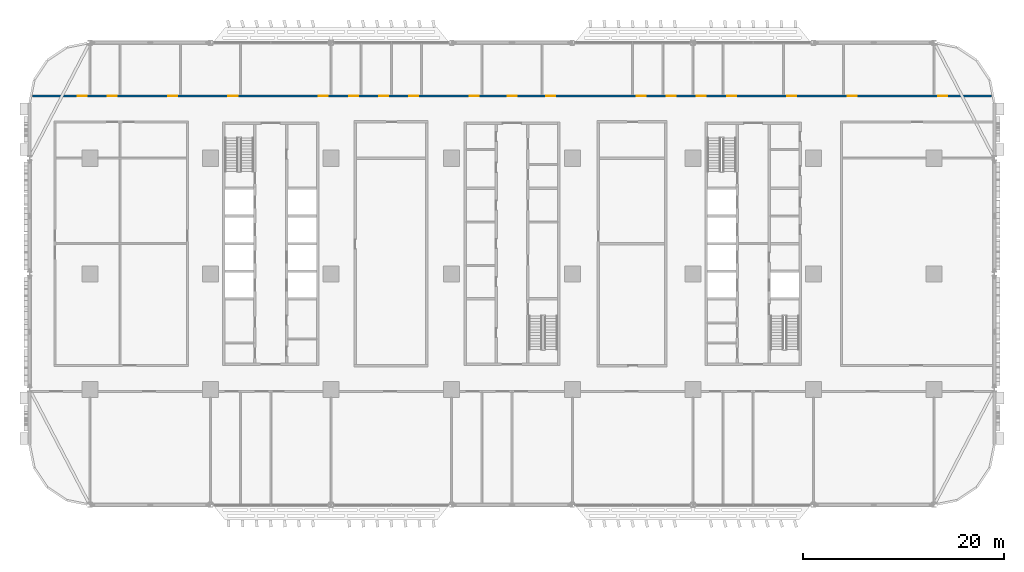
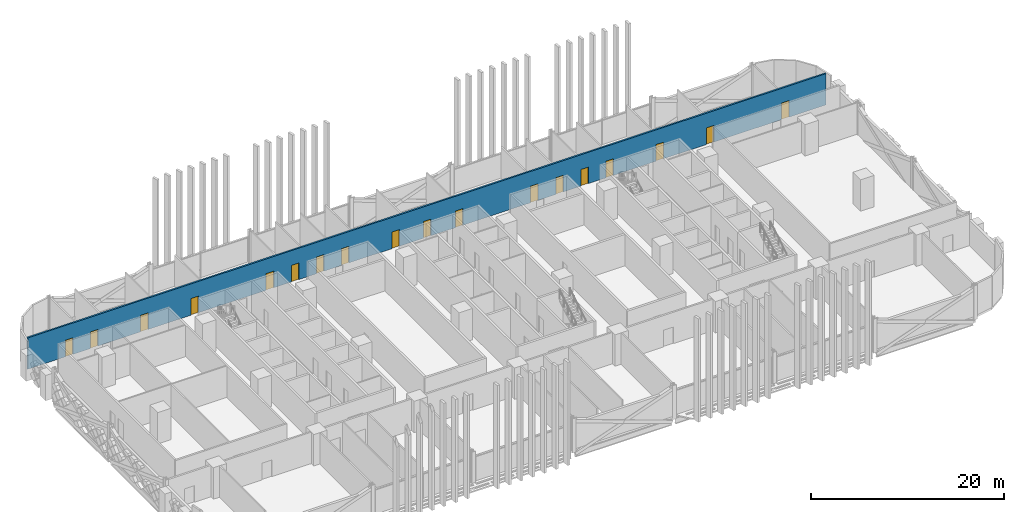
# One storey, part 13 of 29: 18 doors, 1 wall, 18 openings.
"""IFC4 building model written with IfcOpenShell, lengths in metres."""

from ifc_helpers import new_model, si_unit, direction, frame, frame_2d, origin, place, context, subcontext, project, spatial, rectangle, extrude, material, layer, layer_set, type_object, element, fill, save


model = new_model("IFC4")

# Units and contexts
model_context = context("Model", 3, precision=1e-05, world=origin(), true_north=direction((0.0, 1.0)))
body_context = subcontext(model_context, "Body", "Model", "MODEL_VIEW")
ifc_project = project(units=[si_unit("LENGTHUNIT", "METRE"), si_unit("AREAUNIT", "SQUARE_METRE"), si_unit("VOLUMEUNIT", "CUBIC_METRE"), si_unit("PLANEANGLEUNIT", "RADIAN"), si_unit("MASSUNIT", "GRAM", prefix="KILO")], contexts=[model_context])

# Site, building, storey
site_placement = place(None, origin())
site = spatial("IfcSite", under=ifc_project, at=site_placement, CompositionType="ELEMENT")
building_placement = place(site_placement, origin())
building = spatial("IfcBuilding", under=site, at=building_placement, Name="Mahtab Terrace Research Tower", CompositionType="ELEMENT")
storey_placement = place(building_placement, frame((0.0, 0.0, 24.39990234375)))
storey = spatial("IfcBuildingStorey", under=building, at=storey_placement, Name="L05", CompositionType="ELEMENT", Elevation=24.39990234375)

# Wall, openings, doors
ifc_material_1 = material(Name="Gypsum board corridor wall on steel studs", Category="steel")
ifc_layer = layer(ifc_material_1, 0.199951171875)
ifc_layer_set = layer_set([ifc_layer], Name="WALL CORRIDOR 200")
wall_type = type_object("IfcWallType", Name="WALL CORRIDOR 200", PredefinedType="PARTITIONING", material=ifc_layer_set)
wall_placement = place(storey_placement, frame((-47.707763671875, 17.699951171875, 0.0), z_axis=(0.0, 0.0, 1.0), x_axis=(1.0, 0.0, 0.0)))
wall = element("IfcWall", 1, at=wall_placement, inside=storey, type_object=wall_type, Name="L05-W026", PredefinedType="PARTITIONING", context=body_context, shape_type="SweptSolid", body=[
    extrude(rectangle(XDim=95.41552734375, YDim=0.199951171875, at=frame_2d((47.707763671875, 0.0))), origin(), (0.0, 0.0, 1.0), 3.960205078125),
])
opening_1_placement = place(wall_placement, frame((4.5, 0.0, 0.0)))
opening_1 = element("IfcOpeningElement", 2, at=opening_1_placement, cuts=wall, Name="Opening L05-129", PredefinedType="OPENING", context=body_context, shape_type="SweptSolid", body=[
    extrude(rectangle(XDim=0.89990234375, YDim=2.10009765625, at=frame_2d((0.449951171875, 1.050048828125))), frame((0.0, 0.10986328125, 0.0), z_axis=(0.0, -1.0, 0.0), x_axis=(1.0, 0.0, 0.0)), (0.0, 0.0, 1.0), 0.219970703125),
])
opening_2_placement = place(wall_placement, frame((7.5, 0.0, 0.0)))
opening_2 = element("IfcOpeningElement", 3, at=opening_2_placement, cuts=wall, Name="Opening L05-130", PredefinedType="OPENING", context=body_context, shape_type="SweptSolid", body=[
    extrude(rectangle(XDim=0.89990234375, YDim=2.10009765625, at=frame_2d((0.449951171875, 1.050048828125))), frame((0.0, 0.10986328125, 0.0), z_axis=(0.0, -1.0, 0.0), x_axis=(1.0, 0.0, 0.0)), (0.0, 0.0, 1.0), 0.219970703125),
])
opening_3_placement = place(wall_placement, frame((13.5, 0.0, 0.0)))
opening_3 = element("IfcOpeningElement", 4, at=opening_3_placement, cuts=wall, Name="Opening L05-131", PredefinedType="OPENING", context=body_context, shape_type="SweptSolid", body=[
    extrude(rectangle(XDim=0.89990234375, YDim=2.10009765625, at=frame_2d((0.449951171875, 1.050048828125))), frame((0.0, 0.10986328125, 0.0), z_axis=(0.0, -1.0, 0.0), x_axis=(1.0, 0.0, 0.0)), (0.0, 0.0, 1.0), 0.219970703125),
])
opening_4_placement = place(wall_placement, frame((19.5, 0.0, 0.0)))
opening_4 = element("IfcOpeningElement", 5, at=opening_4_placement, cuts=wall, Name="Opening L05-132", PredefinedType="OPENING", context=body_context, shape_type="SweptSolid", body=[
    extrude(rectangle(XDim=0.89990234375, YDim=2.10009765625, at=frame_2d((0.449951171875, 1.050048828125))), frame((0.0, 0.10986328125, 0.0), z_axis=(0.0, -1.0, 0.0), x_axis=(1.0, 0.0, 0.0)), (0.0, 0.0, 1.0), 0.219970703125),
])
opening_5_placement = place(wall_placement, frame((28.5, 0.0, 0.0)))
opening_5 = element("IfcOpeningElement", 6, at=opening_5_placement, cuts=wall, Name="Opening L05-133", PredefinedType="OPENING", context=body_context, shape_type="SweptSolid", body=[
    extrude(rectangle(XDim=0.89990234375, YDim=2.10009765625, at=frame_2d((0.449951171875, 1.050048828125))), frame((0.0, 0.10986328125, 0.0), z_axis=(0.0, -1.0, 0.0), x_axis=(1.0, 0.0, 0.0)), (0.0, 0.0, 1.0), 0.219970703125),
])
opening_6_placement = place(wall_placement, frame((31.5, 0.0, 0.0)))
opening_6 = element("IfcOpeningElement", 7, at=opening_6_placement, cuts=wall, Name="Opening L05-134", PredefinedType="OPENING", context=body_context, shape_type="SweptSolid", body=[
    extrude(rectangle(XDim=0.89990234375, YDim=2.10009765625, at=frame_2d((0.449951171875, 1.050048828125))), frame((0.0, 0.10986328125, 0.0), z_axis=(0.0, -1.0, 0.0), x_axis=(1.0, 0.0, 0.0)), (0.0, 0.0, 1.0), 0.219970703125),
])
opening_7_placement = place(wall_placement, frame((34.5, 0.0, 0.0)))
opening_7 = element("IfcOpeningElement", 8, at=opening_7_placement, cuts=wall, Name="Opening L05-135", PredefinedType="OPENING", context=body_context, shape_type="SweptSolid", body=[
    extrude(rectangle(XDim=0.89990234375, YDim=2.10009765625, at=frame_2d((0.449951171875, 1.050048828125))), frame((0.0, 0.10986328125, 0.0), z_axis=(0.0, -1.0, 0.0), x_axis=(1.0, 0.0, 0.0)), (0.0, 0.0, 1.0), 0.219970703125),
])
opening_8_placement = place(wall_placement, frame((37.5, 0.0, 0.0)))
opening_8 = element("IfcOpeningElement", 9, at=opening_8_placement, cuts=wall, Name="Opening L05-136", PredefinedType="OPENING", context=body_context, shape_type="SweptSolid", body=[
    extrude(rectangle(XDim=0.89990234375, YDim=2.10009765625, at=frame_2d((0.449951171875, 1.050048828125))), frame((0.0, 0.10986328125, 0.0), z_axis=(0.0, -1.0, 0.0), x_axis=(1.0, 0.0, 0.0)), (0.0, 0.0, 1.0), 0.219970703125),
])
opening_9_placement = place(wall_placement, frame((43.5, 0.0, 0.0)))
opening_9 = element("IfcOpeningElement", 10, at=opening_9_placement, cuts=wall, Name="Opening L05-137", PredefinedType="OPENING", context=body_context, shape_type="SweptSolid", body=[
    extrude(rectangle(XDim=0.89990234375, YDim=2.10009765625, at=frame_2d((0.449951171875, 1.050048828125))), frame((0.0, 0.10986328125, 0.0), z_axis=(0.0, -1.0, 0.0), x_axis=(1.0, 0.0, 0.0)), (0.0, 0.0, 1.0), 0.219970703125),
])
opening_10_placement = place(wall_placement, frame((47.300048828125, 0.0, 0.0)))
opening_10 = element("IfcOpeningElement", 11, at=opening_10_placement, cuts=wall, Name="Opening L05-138", PredefinedType="OPENING", context=body_context, shape_type="SweptSolid", body=[
    extrude(rectangle(XDim=0.89990234375, YDim=2.10009765625, at=frame_2d((0.449951171875, 1.050048828125))), frame((0.0, 0.10986328125, 0.0), z_axis=(0.0, -1.0, 0.0), x_axis=(1.0, 0.0, 0.0)), (0.0, 0.0, 1.0), 0.219970703125),
])
opening_11_placement = place(wall_placement, frame((51.10009765625, 0.0, 0.0)))
opening_11 = element("IfcOpeningElement", 12, at=opening_11_placement, cuts=wall, Name="Opening L05-139", PredefinedType="OPENING", context=body_context, shape_type="SweptSolid", body=[
    extrude(rectangle(XDim=0.89990234375, YDim=2.10009765625, at=frame_2d((0.449951171875, 1.050048828125))), frame((0.0, 0.10986328125, 0.0), z_axis=(0.0, -1.0, 0.0), x_axis=(1.0, 0.0, 0.0)), (0.0, 0.0, 1.0), 0.219970703125),
])
opening_12_placement = place(wall_placement, frame((60.10009765625, 0.0, 0.0)))
opening_12 = element("IfcOpeningElement", 13, at=opening_12_placement, cuts=wall, Name="Opening L05-140", PredefinedType="OPENING", context=body_context, shape_type="SweptSolid", body=[
    extrude(rectangle(XDim=0.89990234375, YDim=2.10009765625, at=frame_2d((0.449951171875, 1.050048828125))), frame((0.0, 0.10986328125, 0.0), z_axis=(0.0, -1.0, 0.0), x_axis=(1.0, 0.0, 0.0)), (0.0, 0.0, 1.0), 0.219970703125),
])
opening_13_placement = place(wall_placement, frame((63.10009765625, 0.0, 0.0)))
opening_13 = element("IfcOpeningElement", 14, at=opening_13_placement, cuts=wall, Name="Opening L05-141", PredefinedType="OPENING", context=body_context, shape_type="SweptSolid", body=[
    extrude(rectangle(XDim=0.89990234375, YDim=2.10009765625, at=frame_2d((0.449951171875, 1.050048828125))), frame((0.0, 0.10986328125, 0.0), z_axis=(0.0, -1.0, 0.0), x_axis=(1.0, 0.0, 0.0)), (0.0, 0.0, 1.0), 0.219970703125),
])
opening_14_placement = place(wall_placement, frame((66.10009765625, 0.0, 0.0)))
opening_14 = element("IfcOpeningElement", 15, at=opening_14_placement, cuts=wall, Name="Opening L05-142", PredefinedType="OPENING", context=body_context, shape_type="SweptSolid", body=[
    extrude(rectangle(XDim=0.89990234375, YDim=2.10009765625, at=frame_2d((0.449951171875, 1.050048828125))), frame((0.0, 0.10986328125, 0.0), z_axis=(0.0, -1.0, 0.0), x_axis=(1.0, 0.0, 0.0)), (0.0, 0.0, 1.0), 0.219970703125),
])
opening_15_placement = place(wall_placement, frame((69.10009765625, 0.0, 0.0)))
opening_15 = element("IfcOpeningElement", 16, at=opening_15_placement, cuts=wall, Name="Opening L05-143", PredefinedType="OPENING", context=body_context, shape_type="SweptSolid", body=[
    extrude(rectangle(XDim=0.89990234375, YDim=2.10009765625, at=frame_2d((0.449951171875, 1.050048828125))), frame((0.0, 0.10986328125, 0.0), z_axis=(0.0, -1.0, 0.0), x_axis=(1.0, 0.0, 0.0)), (0.0, 0.0, 1.0), 0.219970703125),
])
opening_16_placement = place(wall_placement, frame((75.10009765625, 0.0, 0.0)))
opening_16 = element("IfcOpeningElement", 17, at=opening_16_placement, cuts=wall, Name="Opening L05-144", PredefinedType="OPENING", context=body_context, shape_type="SweptSolid", body=[
    extrude(rectangle(XDim=0.89990234375, YDim=2.10009765625, at=frame_2d((0.449951171875, 1.050048828125))), frame((0.0, 0.10986328125, 0.0), z_axis=(0.0, -1.0, 0.0), x_axis=(1.0, 0.0, 0.0)), (0.0, 0.0, 1.0), 0.219970703125),
])
opening_17_placement = place(wall_placement, frame((81.10009765625, 0.0, 0.0)))
opening_17 = element("IfcOpeningElement", 18, at=opening_17_placement, cuts=wall, Name="Opening L05-145", PredefinedType="OPENING", context=body_context, shape_type="SweptSolid", body=[
    extrude(rectangle(XDim=0.89990234375, YDim=2.10009765625, at=frame_2d((0.449951171875, 1.050048828125))), frame((0.0, 0.10986328125, 0.0), z_axis=(0.0, -1.0, 0.0), x_axis=(1.0, 0.0, 0.0)), (0.0, 0.0, 1.0), 0.219970703125),
])
opening_18_placement = place(wall_placement, frame((90.10009765625, 0.0, 0.0)))
opening_18 = element("IfcOpeningElement", 19, at=opening_18_placement, cuts=wall, Name="Opening L05-146", PredefinedType="OPENING", context=body_context, shape_type="SweptSolid", body=[
    extrude(rectangle(XDim=0.89990234375, YDim=2.10009765625, at=frame_2d((0.449951171875, 1.050048828125))), frame((0.0, 0.10986328125, 0.0), z_axis=(0.0, -1.0, 0.0), x_axis=(1.0, 0.0, 0.0)), (0.0, 0.0, 1.0), 0.219970703125),
])
ifc_material_2 = material(Name="Timber door leaf in steel frame", Category="steel")
door_type = type_object("IfcDoorType", Name="DOOR 0900X2100 FD30S", OperationType="SINGLE_SWING_LEFT", PredefinedType="DOOR", material=ifc_material_2)
door_1_placement = place(opening_1_placement, origin())
door_1 = element("IfcDoor", 20, at=door_1_placement, inside=storey, type_object=door_type, Name="Door L05-129", OperationType="SINGLE_SWING_LEFT", OverallHeight=2.10009765625, OverallWidth=0.89990234375, PredefinedType="DOOR", context=body_context, shape_type="SweptSolid", body=[
    extrude(rectangle(XDim=0.89990234375, YDim=2.10009765625, at=frame_2d((0.449951171875, 1.050048828125))), frame((0.0, 0.02490234375, 0.0), z_axis=(0.0, -1.0, 0.0), x_axis=(1.0, 0.0, 0.0)), (0.0, 0.0, 1.0), 0.050048828125),
])
fill(opening_1, door_1)
door_2_placement = place(opening_2_placement, origin())
door_2 = element("IfcDoor", 21, at=door_2_placement, inside=storey, type_object=door_type, Name="Door L05-130", OperationType="SINGLE_SWING_LEFT", OverallHeight=2.10009765625, OverallWidth=0.89990234375, PredefinedType="DOOR", context=body_context, shape_type="SweptSolid", body=[
    extrude(rectangle(XDim=0.89990234375, YDim=2.10009765625, at=frame_2d((0.449951171875, 1.050048828125))), frame((0.0, 0.02490234375, 0.0), z_axis=(0.0, -1.0, 0.0), x_axis=(1.0, 0.0, 0.0)), (0.0, 0.0, 1.0), 0.050048828125),
])
fill(opening_2, door_2)
door_3_placement = place(opening_3_placement, origin())
door_3 = element("IfcDoor", 22, at=door_3_placement, inside=storey, type_object=door_type, Name="Door L05-131", OperationType="SINGLE_SWING_LEFT", OverallHeight=2.10009765625, OverallWidth=0.89990234375, PredefinedType="DOOR", context=body_context, shape_type="SweptSolid", body=[
    extrude(rectangle(XDim=0.89990234375, YDim=2.10009765625, at=frame_2d((0.449951171875, 1.050048828125))), frame((0.0, 0.02490234375, 0.0), z_axis=(0.0, -1.0, 0.0), x_axis=(1.0, 0.0, 0.0)), (0.0, 0.0, 1.0), 0.050048828125),
])
fill(opening_3, door_3)
door_4_placement = place(opening_4_placement, origin())
door_4 = element("IfcDoor", 23, at=door_4_placement, inside=storey, type_object=door_type, Name="Door L05-132", OperationType="SINGLE_SWING_LEFT", OverallHeight=2.10009765625, OverallWidth=0.89990234375, PredefinedType="DOOR", context=body_context, shape_type="SweptSolid", body=[
    extrude(rectangle(XDim=0.89990234375, YDim=2.10009765625, at=frame_2d((0.449951171875, 1.050048828125))), frame((0.0, 0.02490234375, 0.0), z_axis=(0.0, -1.0, 0.0), x_axis=(1.0, 0.0, 0.0)), (0.0, 0.0, 1.0), 0.050048828125),
])
fill(opening_4, door_4)
door_5_placement = place(opening_5_placement, origin())
door_5 = element("IfcDoor", 24, at=door_5_placement, inside=storey, type_object=door_type, Name="Door L05-133", OperationType="SINGLE_SWING_LEFT", OverallHeight=2.10009765625, OverallWidth=0.89990234375, PredefinedType="DOOR", context=body_context, shape_type="SweptSolid", body=[
    extrude(rectangle(XDim=0.89990234375, YDim=2.10009765625, at=frame_2d((0.449951171875, 1.050048828125))), frame((0.0, 0.02490234375, 0.0), z_axis=(0.0, -1.0, 0.0), x_axis=(1.0, 0.0, 0.0)), (0.0, 0.0, 1.0), 0.050048828125),
])
fill(opening_5, door_5)
door_6_placement = place(opening_6_placement, origin())
door_6 = element("IfcDoor", 25, at=door_6_placement, inside=storey, type_object=door_type, Name="Door L05-134", OperationType="SINGLE_SWING_LEFT", OverallHeight=2.10009765625, OverallWidth=0.89990234375, PredefinedType="DOOR", context=body_context, shape_type="SweptSolid", body=[
    extrude(rectangle(XDim=0.89990234375, YDim=2.10009765625, at=frame_2d((0.449951171875, 1.050048828125))), frame((0.0, 0.02490234375, 0.0), z_axis=(0.0, -1.0, 0.0), x_axis=(1.0, 0.0, 0.0)), (0.0, 0.0, 1.0), 0.050048828125),
])
fill(opening_6, door_6)
door_7_placement = place(opening_7_placement, origin())
door_7 = element("IfcDoor", 26, at=door_7_placement, inside=storey, type_object=door_type, Name="Door L05-135", OperationType="SINGLE_SWING_LEFT", OverallHeight=2.10009765625, OverallWidth=0.89990234375, PredefinedType="DOOR", context=body_context, shape_type="SweptSolid", body=[
    extrude(rectangle(XDim=0.89990234375, YDim=2.10009765625, at=frame_2d((0.449951171875, 1.050048828125))), frame((0.0, 0.02490234375, 0.0), z_axis=(0.0, -1.0, 0.0), x_axis=(1.0, 0.0, 0.0)), (0.0, 0.0, 1.0), 0.050048828125),
])
fill(opening_7, door_7)
door_8_placement = place(opening_8_placement, origin())
door_8 = element("IfcDoor", 27, at=door_8_placement, inside=storey, type_object=door_type, Name="Door L05-136", OperationType="SINGLE_SWING_LEFT", OverallHeight=2.10009765625, OverallWidth=0.89990234375, PredefinedType="DOOR", context=body_context, shape_type="SweptSolid", body=[
    extrude(rectangle(XDim=0.89990234375, YDim=2.10009765625, at=frame_2d((0.449951171875, 1.050048828125))), frame((0.0, 0.02490234375, 0.0), z_axis=(0.0, -1.0, 0.0), x_axis=(1.0, 0.0, 0.0)), (0.0, 0.0, 1.0), 0.050048828125),
])
fill(opening_8, door_8)
door_9_placement = place(opening_9_placement, origin())
door_9 = element("IfcDoor", 28, at=door_9_placement, inside=storey, type_object=door_type, Name="Door L05-137", OperationType="SINGLE_SWING_LEFT", OverallHeight=2.10009765625, OverallWidth=0.89990234375, PredefinedType="DOOR", context=body_context, shape_type="SweptSolid", body=[
    extrude(rectangle(XDim=0.89990234375, YDim=2.10009765625, at=frame_2d((0.449951171875, 1.050048828125))), frame((0.0, 0.02490234375, 0.0), z_axis=(0.0, -1.0, 0.0), x_axis=(1.0, 0.0, 0.0)), (0.0, 0.0, 1.0), 0.050048828125),
])
fill(opening_9, door_9)
door_10_placement = place(opening_10_placement, origin())
door_10 = element("IfcDoor", 29, at=door_10_placement, inside=storey, type_object=door_type, Name="Door L05-138", OperationType="SINGLE_SWING_RIGHT", OverallHeight=2.10009765625, OverallWidth=0.89990234375, PredefinedType="DOOR", context=body_context, shape_type="SweptSolid", body=[
    extrude(rectangle(XDim=0.89990234375, YDim=2.10009765625, at=frame_2d((0.449951171875, 1.050048828125))), frame((0.0, 0.02490234375, 0.0), z_axis=(0.0, -1.0, 0.0), x_axis=(1.0, 0.0, 0.0)), (0.0, 0.0, 1.0), 0.050048828125),
])
fill(opening_10, door_10)
door_11_placement = place(opening_11_placement, origin())
door_11 = element("IfcDoor", 30, at=door_11_placement, inside=storey, type_object=door_type, Name="Door L05-139", OperationType="SINGLE_SWING_RIGHT", OverallHeight=2.10009765625, OverallWidth=0.89990234375, PredefinedType="DOOR", context=body_context, shape_type="SweptSolid", body=[
    extrude(rectangle(XDim=0.89990234375, YDim=2.10009765625, at=frame_2d((0.449951171875, 1.050048828125))), frame((0.0, 0.02490234375, 0.0), z_axis=(0.0, -1.0, 0.0), x_axis=(1.0, 0.0, 0.0)), (0.0, 0.0, 1.0), 0.050048828125),
])
fill(opening_11, door_11)
door_12_placement = place(opening_12_placement, origin())
door_12 = element("IfcDoor", 31, at=door_12_placement, inside=storey, type_object=door_type, Name="Door L05-140", OperationType="SINGLE_SWING_RIGHT", OverallHeight=2.10009765625, OverallWidth=0.89990234375, PredefinedType="DOOR", context=body_context, shape_type="SweptSolid", body=[
    extrude(rectangle(XDim=0.89990234375, YDim=2.10009765625, at=frame_2d((0.449951171875, 1.050048828125))), frame((0.0, 0.02490234375, 0.0), z_axis=(0.0, -1.0, 0.0), x_axis=(1.0, 0.0, 0.0)), (0.0, 0.0, 1.0), 0.050048828125),
])
fill(opening_12, door_12)
door_13_placement = place(opening_13_placement, origin())
door_13 = element("IfcDoor", 32, at=door_13_placement, inside=storey, type_object=door_type, Name="Door L05-141", OperationType="SINGLE_SWING_RIGHT", OverallHeight=2.10009765625, OverallWidth=0.89990234375, PredefinedType="DOOR", context=body_context, shape_type="SweptSolid", body=[
    extrude(rectangle(XDim=0.89990234375, YDim=2.10009765625, at=frame_2d((0.449951171875, 1.050048828125))), frame((0.0, 0.02490234375, 0.0), z_axis=(0.0, -1.0, 0.0), x_axis=(1.0, 0.0, 0.0)), (0.0, 0.0, 1.0), 0.050048828125),
])
fill(opening_13, door_13)
door_14_placement = place(opening_14_placement, origin())
door_14 = element("IfcDoor", 33, at=door_14_placement, inside=storey, type_object=door_type, Name="Door L05-142", OperationType="SINGLE_SWING_RIGHT", OverallHeight=2.10009765625, OverallWidth=0.89990234375, PredefinedType="DOOR", context=body_context, shape_type="SweptSolid", body=[
    extrude(rectangle(XDim=0.89990234375, YDim=2.10009765625, at=frame_2d((0.449951171875, 1.050048828125))), frame((0.0, 0.02490234375, 0.0), z_axis=(0.0, -1.0, 0.0), x_axis=(1.0, 0.0, 0.0)), (0.0, 0.0, 1.0), 0.050048828125),
])
fill(opening_14, door_14)
door_15_placement = place(opening_15_placement, origin())
door_15 = element("IfcDoor", 34, at=door_15_placement, inside=storey, type_object=door_type, Name="Door L05-143", OperationType="SINGLE_SWING_RIGHT", OverallHeight=2.10009765625, OverallWidth=0.89990234375, PredefinedType="DOOR", context=body_context, shape_type="SweptSolid", body=[
    extrude(rectangle(XDim=0.89990234375, YDim=2.10009765625, at=frame_2d((0.449951171875, 1.050048828125))), frame((0.0, 0.02490234375, 0.0), z_axis=(0.0, -1.0, 0.0), x_axis=(1.0, 0.0, 0.0)), (0.0, 0.0, 1.0), 0.050048828125),
])
fill(opening_15, door_15)
door_16_placement = place(opening_16_placement, origin())
door_16 = element("IfcDoor", 35, at=door_16_placement, inside=storey, type_object=door_type, Name="Door L05-144", OperationType="SINGLE_SWING_RIGHT", OverallHeight=2.10009765625, OverallWidth=0.89990234375, PredefinedType="DOOR", context=body_context, shape_type="SweptSolid", body=[
    extrude(rectangle(XDim=0.89990234375, YDim=2.10009765625, at=frame_2d((0.449951171875, 1.050048828125))), frame((0.0, 0.02490234375, 0.0), z_axis=(0.0, -1.0, 0.0), x_axis=(1.0, 0.0, 0.0)), (0.0, 0.0, 1.0), 0.050048828125),
])
fill(opening_16, door_16)
door_17_placement = place(opening_17_placement, origin())
door_17 = element("IfcDoor", 36, at=door_17_placement, inside=storey, type_object=door_type, Name="Door L05-145", OperationType="SINGLE_SWING_RIGHT", OverallHeight=2.10009765625, OverallWidth=0.89990234375, PredefinedType="DOOR", context=body_context, shape_type="SweptSolid", body=[
    extrude(rectangle(XDim=0.89990234375, YDim=2.10009765625, at=frame_2d((0.449951171875, 1.050048828125))), frame((0.0, 0.02490234375, 0.0), z_axis=(0.0, -1.0, 0.0), x_axis=(1.0, 0.0, 0.0)), (0.0, 0.0, 1.0), 0.050048828125),
])
fill(opening_17, door_17)
door_18_placement = place(opening_18_placement, origin())
door_18 = element("IfcDoor", 37, at=door_18_placement, inside=storey, type_object=door_type, Name="Door L05-146", OperationType="SINGLE_SWING_RIGHT", OverallHeight=2.10009765625, OverallWidth=0.89990234375, PredefinedType="DOOR", context=body_context, shape_type="SweptSolid", body=[
    extrude(rectangle(XDim=0.89990234375, YDim=2.10009765625, at=frame_2d((0.449951171875, 1.050048828125))), frame((0.0, 0.02490234375, 0.0), z_axis=(0.0, -1.0, 0.0), x_axis=(1.0, 0.0, 0.0)), (0.0, 0.0, 1.0), 0.050048828125),
])
fill(opening_18, door_18)

save(model, "model.ifc")
